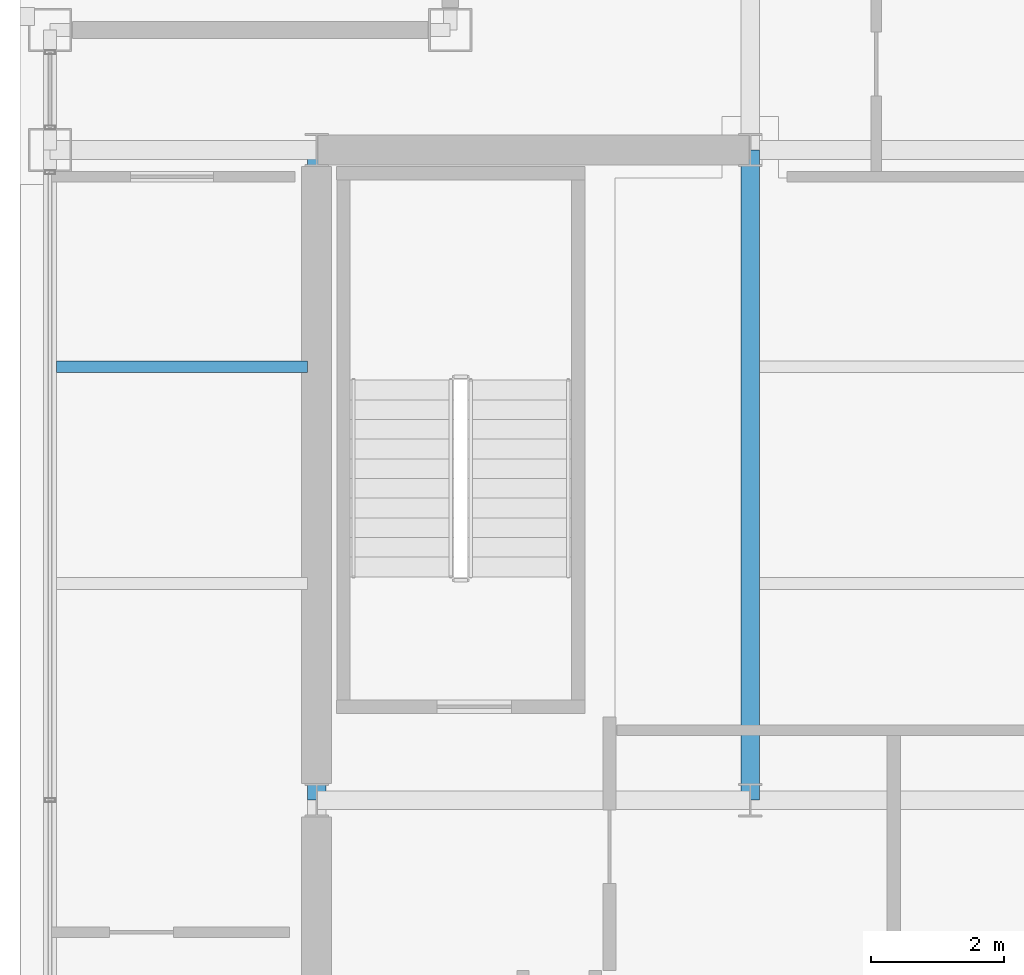
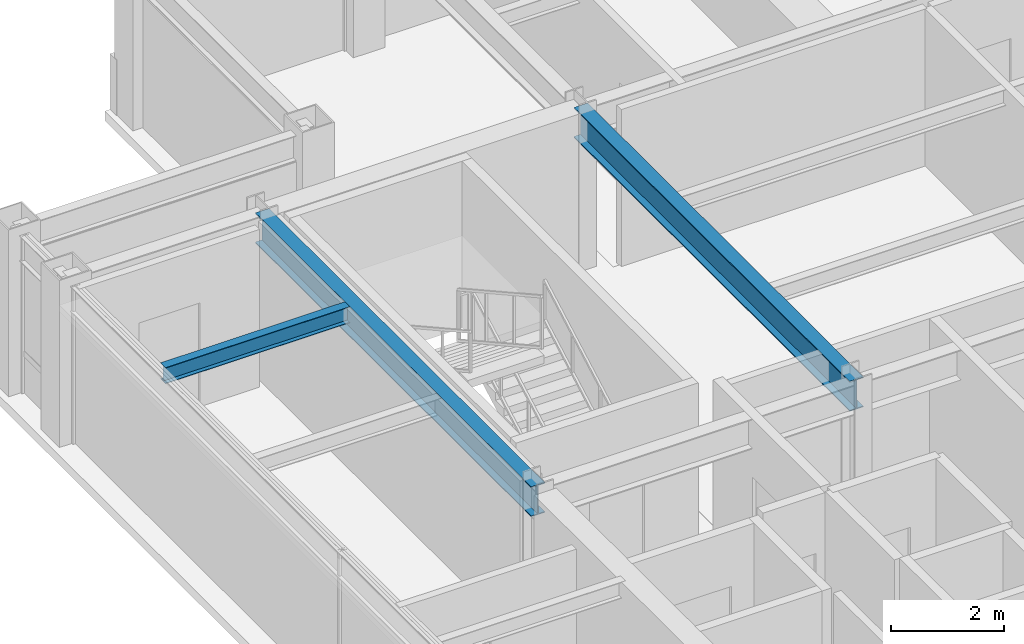
# One storey, part 7 of 20: 3 beams.
"""IFC4 building model written with IfcOpenShell, lengths in metres."""

from ifc_helpers import new_model, si_unit, direction, frame, origin, origin_2d, place, context, subcontext, project, spatial, i_section, extrude, material, material_profile, profile_set, type_object, element, save


model = new_model("IFC4")

# Units and contexts
model_context = context("Model", 3, precision=1e-05, world=origin(), true_north=direction((0.0, 1.0)))
body_context = subcontext(model_context, "Body", "Model", "MODEL_VIEW")
ifc_project = project(units=[si_unit("LENGTHUNIT", "METRE"), si_unit("AREAUNIT", "SQUARE_METRE"), si_unit("VOLUMEUNIT", "CUBIC_METRE"), si_unit("PLANEANGLEUNIT", "RADIAN"), si_unit("MASSUNIT", "GRAM", prefix="KILO")], contexts=[model_context])

# Site, building, storey
site_placement = place(None, origin())
site = spatial("IfcSite", under=ifc_project, at=site_placement, CompositionType="ELEMENT")
building_placement = place(site_placement, origin())
building = spatial("IfcBuilding", under=site, at=building_placement, Name="Brelmoor Portico Tower", CompositionType="ELEMENT")
storey_placement = place(building_placement, frame((0.0, 0.0, 218.39990234375)))
storey = spatial("IfcBuildingStorey", under=building, at=storey_placement, Name="L57", CompositionType="ELEMENT", Elevation=218.39990234375)

# Beams
ifc_material = material(Name="Steel Q355B", Category="steel")
ifc_material_profile_1 = material_profile(ifc_material, i_section(OverallWidth=0.175048828125, OverallDepth=0.35009765625, WebThickness=0.007080078125, FlangeThickness=0.010986328125, at=origin_2d()), Name="HN 350x175x7x11")
ifc_profile_set_1 = profile_set([ifc_material_profile_1], Name="Steel Q355B")
beam_type_1 = type_object("IfcBeamType", Name="BM-JS-350", PredefinedType="JOIST", material=ifc_profile_set_1)
beam_placement = place(storey_placement, frame((-18.449951171875, 6.5, 3.22509765625), z_axis=(1.0, 0.0, 0.0), x_axis=(0.0, 1.0, 0.0)))
element("IfcBeam", 1, at=beam_placement, inside=storey, type_object=beam_type_1, Name="L57 Secondary Wing Joist JS-W10", PredefinedType="JOIST", context=body_context, shape_type="SweptSolid", body=[
    extrude(i_section(OverallWidth=0.175048828125, OverallDepth=0.35009765625, WebThickness=0.007080078125, FlangeThickness=0.010986328125, at=origin_2d()), origin(), (0.0, 0.0, 1.0), 3.760009765625),
])
ifc_material_profile_2 = material_profile(ifc_material, i_section(OverallWidth=0.280029296875, OverallDepth=0.64990234375, WebThickness=0.012939453125, FlangeThickness=0.02197265625, at=origin_2d()), Name="HN 650x280x13x22")
ifc_profile_set_2 = profile_set([ifc_material_profile_2], Name="Steel Q355B")
beam_type_2 = type_object("IfcBeamType", Name="BM-PG-650", PredefinedType="BEAM", material=ifc_profile_set_2)
for number, where, z_axis, x_axis, name in (
    (2, (-14.550048828125, 0.0, 3.0751953125), (0.0, 1.0, 0.0), (-1.0, 0.0, 0.0), "L57 Primary Floor Girder PG-02"),
    (3, (-8.050048828125, 0.0, 3.0751953125), (0.0, 1.0, 0.0), (-1.0, 0.0, 0.0), "L57 Primary Floor Girder PG-04"),
):
    element("IfcBeam", number, at=place(storey_placement, frame(where, z_axis=z_axis, x_axis=x_axis)), inside=storey, type_object=beam_type_2, Name=name, PredefinedType="BEAM", context=body_context, shape_type="SweptSolid", body=[
        extrude(i_section(OverallWidth=0.280029296875, OverallDepth=0.64990234375, WebThickness=0.012939453125, FlangeThickness=0.02197265625, at=origin_2d()), origin(), (0.0, 0.0, 1.0), 9.75),
    ])

save(model, "model.ifc")
